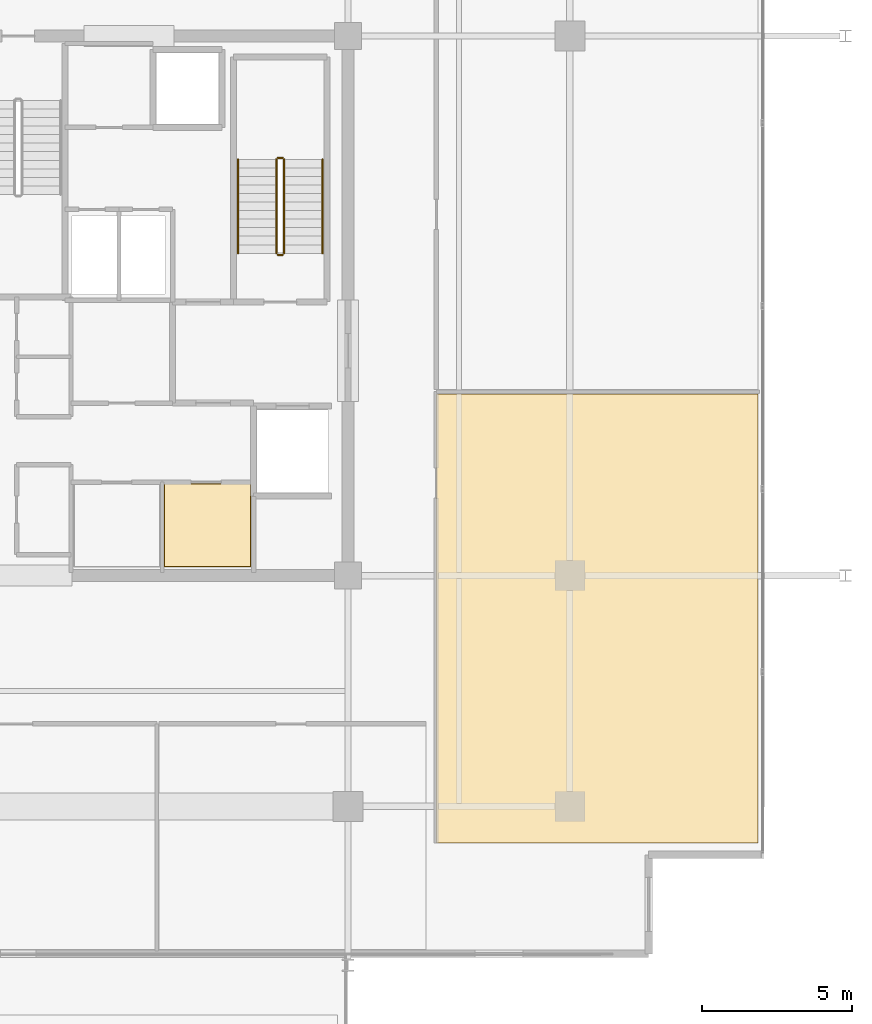
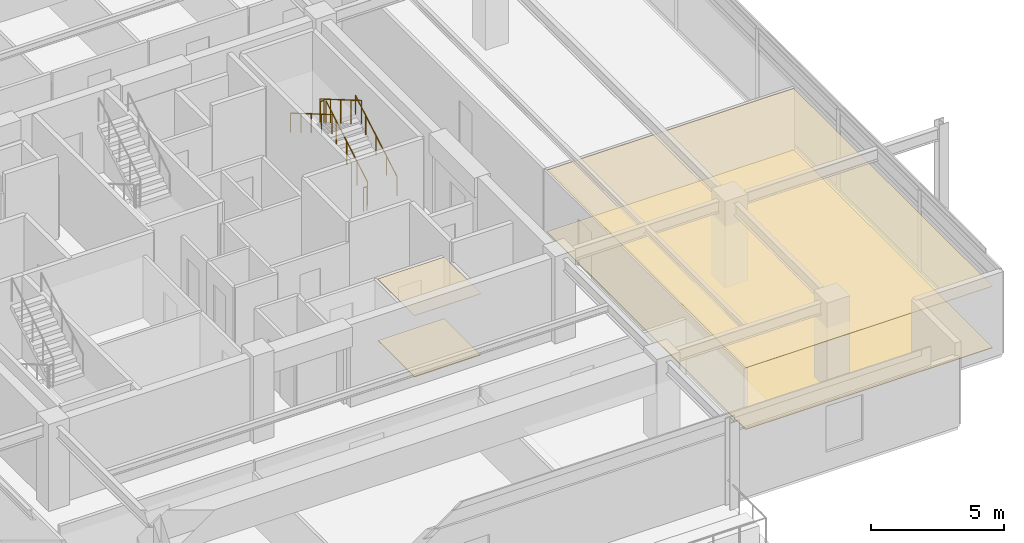
# One storey, part 20 of 21: 6 railings, 4 coverings.
"""IFC4 building model written with IfcOpenShell, lengths in metres."""

from ifc_helpers import new_model, si_unit, direction, frame, origin, origin_2d, place, context, subcontext, project, spatial, polyline, circle, outline, extrude, material, layer, layer_set, type_object, element, save


model = new_model("IFC4")

# Units and contexts
model_context = context("Model", 3, precision=1e-05, world=origin(), true_north=direction((0.0, 1.0)))
body_context = subcontext(model_context, "Body", "Model", "MODEL_VIEW")
ifc_project = project(units=[si_unit("LENGTHUNIT", "METRE"), si_unit("AREAUNIT", "SQUARE_METRE"), si_unit("VOLUMEUNIT", "CUBIC_METRE"), si_unit("PLANEANGLEUNIT", "RADIAN"), si_unit("MASSUNIT", "GRAM", prefix="KILO")], contexts=[model_context])

# Site, building, storey
site_placement = place(None, origin())
site = spatial("IfcSite", under=ifc_project, at=site_placement, CompositionType="ELEMENT")
building_placement = place(site_placement, origin())
building = spatial("IfcBuilding", under=site, at=building_placement, Name="Kovane Verandah Tower", CompositionType="ELEMENT")
storey_placement = place(building_placement, frame((0.0, 0.0, 326.800048828125)))
storey = spatial("IfcBuildingStorey", under=building, at=storey_placement, Name="L76", CompositionType="ELEMENT", Elevation=326.800048828125)

# Coverings
ifc_material_1 = material(Name="Perforated Acoustic Mineral-Fibre Ceiling Tile", Category="gypsum")
ifc_layer_1 = layer(ifc_material_1, 0.02490234375)
ifc_layer_set_1 = layer_set([ifc_layer_1], Name="Perforated Acoustic Mineral-Fibre Ceiling Tile")
covering_type_1 = type_object("IfcCoveringType", Name="CV-CEIL-25", PredefinedType="CEILING", material=ifc_layer_set_1)
covering_1_placement = place(storey_placement, frame((0.0, 0.0, 2.824951171875)))
element("IfcCovering", 1, at=covering_1_placement, inside=storey, type_object=covering_type_1, Name="L76 East IT Server Room Acoustic Ceiling", PredefinedType="CEILING", context=body_context, shape_type="SweptSolid", body=[
    extrude(outline(polyline([(44.864990234375, 18.784912109375), (47.764892578125, 18.784912109375), (47.764892578125, 21.56494140625), (44.864990234375, 21.56494140625), (44.864990234375, 18.784912109375)])), origin(), (0.0, 0.0, 1.0), 0.02490234375),
])
covering_2_placement = place(storey_placement, frame((0.0, 0.0, 2.824951171875)))
element("IfcCovering", 2, at=covering_2_placement, inside=storey, type_object=covering_type_1, Name="L76 Document and Print Room E1 Acoustic Ceiling", PredefinedType="CEILING", context=body_context, shape_type="SweptSolid", body=[
    extrude(outline(polyline([(53.949951171875, 9.584228515625), (64.681396484375, 9.584228515625), (64.681396484375, 24.5634765625), (53.949951171875, 24.5634765625), (53.949951171875, 9.584228515625)])), origin(), (0.0, 0.0, 1.0), 0.02490234375),
])
ifc_material_2 = material(Name="Polished Terrazzo and Raised-Access Carpet Tile Finish", Category="concrete")
ifc_layer_2 = layer(ifc_material_2, 0.030029296875)
ifc_layer_set_2 = layer_set([ifc_layer_2], Name="Polished Terrazzo and Raised-Access Carpet Tile Finish")
covering_type_2 = type_object("IfcCoveringType", Name="CV-FLOR-30", PredefinedType="FLOORING", material=ifc_layer_set_2)
covering_3_placement = place(storey_placement, origin())
element("IfcCovering", 3, at=covering_3_placement, inside=storey, type_object=covering_type_2, Name="L76 East IT Server Room Floor Finish", PredefinedType="FLOORING", context=body_context, shape_type="SweptSolid", body=[
    extrude(outline(polyline([(44.8798828125, 18.800048828125), (47.75, 18.800048828125), (47.75, 21.550048828125), (44.8798828125, 21.550048828125), (44.8798828125, 18.800048828125)])), origin(), (0.0, 0.0, 1.0), 0.030029296875),
])
covering_4_placement = place(storey_placement, origin())
element("IfcCovering", 4, at=covering_4_placement, inside=storey, type_object=covering_type_2, Name="L76 Document and Print Room E1 Floor Finish", PredefinedType="FLOORING", context=body_context, shape_type="SweptSolid", body=[
    extrude(outline(polyline([(53.949951171875, 9.584228515625), (64.681396484375, 9.584228515625), (64.681396484375, 24.5634765625), (53.949951171875, 24.5634765625), (53.949951171875, 9.584228515625)])), origin(), (0.0, 0.0, 1.0), 0.030029296875),
])

# Railings
ifc_material_3 = material(Name="Brushed Stainless Steel Handrail", Category="steel")
railing_type_1 = type_object("IfcRailingType", Name="RL-HAND-920", PredefinedType="HANDRAIL", material=ifc_material_3)
railing_1_placement = place(storey_placement, frame((50.14990234375, 29.25, 0.16650390625)))
element("IfcRailing", 5, at=railing_1_placement, inside=storey, type_object=railing_type_1, Name="L76 ST-02 stair handrail 1", PredefinedType="HANDRAIL", context=body_context, shape_type="SweptSolid", body=[
    extrude(circle(Radius=0.02392578125, at=origin_2d()), frame((0.0, 0.0, 0.8759765625), z_axis=(0.0, 0.863210265497, 0.504844567704), x_axis=(-1.0, 0.0, 0.0)), (0.0, 0.0, 1.0), 3.6318359375),
    extrude(circle(Radius=0.02099609375, at=origin_2d()), origin(), (0.0, 0.0, 1.0), 0.851806640625),
    extrude(circle(Radius=0.02099609375, at=origin_2d()), frame((0.0, 0.78369140625, 0.45849609375)), (0.0, 0.0, 1.0), 0.851806640625),
    extrude(circle(Radius=0.02099609375, at=origin_2d()), frame((0.0, 1.5673828125, 0.916748046875)), (0.0, 0.0, 1.0), 0.851806640625),
    extrude(circle(Radius=0.02099609375, at=origin_2d()), frame((0.0, 2.351318359375, 1.375)), (0.0, 0.0, 1.0), 0.851806640625),
    extrude(circle(Radius=0.02099609375, at=origin_2d()), frame((0.0, 3.135009765625, 1.83349609375)), (0.0, 0.0, 1.0), 0.851806640625),
])
railing_2_placement = place(storey_placement, frame((47.330078125, 32.385009765625, 2.16650390625)))
element("IfcRailing", 6, at=railing_2_placement, inside=storey, type_object=railing_type_1, Name="L76 ST-02 stair handrail 2", PredefinedType="HANDRAIL", context=body_context, shape_type="SweptSolid", body=[
    extrude(circle(Radius=0.02392578125, at=origin_2d()), frame((0.0, 0.0, 0.8759765625), z_axis=(0.0, -0.863210265497, 0.504844567704), x_axis=(1.0, 0.0, 0.0)), (0.0, 0.0, 1.0), 3.6318359375),
    extrude(circle(Radius=0.02099609375, at=origin_2d()), origin(), (0.0, 0.0, 1.0), 0.851806640625),
    extrude(circle(Radius=0.02099609375, at=origin_2d()), frame((0.0, -0.78369140625, 0.45849609375)), (0.0, 0.0, 1.0), 0.851806640625),
    extrude(circle(Radius=0.02099609375, at=origin_2d()), frame((0.0, -1.5673828125, 0.916748046875)), (0.0, 0.0, 1.0), 0.851806640625),
    extrude(circle(Radius=0.02099609375, at=origin_2d()), frame((0.0, -2.351318359375, 1.375)), (0.0, 0.0, 1.0), 0.851806640625),
    extrude(circle(Radius=0.02099609375, at=origin_2d()), frame((0.0, -3.135009765625, 1.83349609375)), (0.0, 0.0, 1.0), 0.851806640625),
])
ifc_material_4 = material(Name="Painted Steel Stairwell Guardrail", Category="steel")
railing_type_2 = type_object("IfcRailingType", Name="RL-STGUARD-1120", PredefinedType="GUARDRAIL", material=ifc_material_4)
railing_3_placement = place(storey_placement, frame((48.8701171875, 29.25, 0.16650390625)))
element("IfcRailing", 7, at=railing_3_placement, inside=storey, type_object=railing_type_2, Name="L76 ST-02 stair guard 1", PredefinedType="GUARDRAIL", context=body_context, shape_type="SweptSolid", body=[
    extrude(circle(Radius=0.02392578125, at=origin_2d()), frame((0.0, 0.0, 1.076171875), z_axis=(0.0, 0.863210265497, 0.504844567704), x_axis=(-1.0, 0.0, 0.0)), (0.0, 0.0, 1.0), 3.6318359375),
    extrude(circle(Radius=0.02099609375, at=origin_2d()), origin(), (0.0, 0.0, 1.0), 1.052001953125),
    extrude(circle(Radius=0.02099609375, at=origin_2d()), frame((0.0, 0.78369140625, 0.45849609375)), (0.0, 0.0, 1.0), 1.052001953125),
    extrude(circle(Radius=0.02099609375, at=origin_2d()), frame((0.0, 1.5673828125, 0.916748046875)), (0.0, 0.0, 1.0), 1.052001953125),
    extrude(circle(Radius=0.02099609375, at=origin_2d()), frame((0.0, 2.351318359375, 1.375)), (0.0, 0.0, 1.0), 1.052001953125),
    extrude(circle(Radius=0.02099609375, at=origin_2d()), frame((0.0, 3.135009765625, 1.83349609375)), (0.0, 0.0, 1.0), 1.052001953125),
])
railing_4_placement = place(storey_placement, frame((48.820068359375, 32.43505859375, 2.0)))
element("IfcRailing", 8, at=railing_4_placement, inside=storey, type_object=railing_type_2, Name="L76 ST-02 stair guard 2", PredefinedType="GUARDRAIL", context=body_context, shape_type="SweptSolid", body=[
    extrude(circle(Radius=0.02392578125, at=origin_2d()), frame((0.0, 0.0, 1.076171875), z_axis=(-1.0, 0.0, 0.0), x_axis=(0.0, -1.0, 0.0)), (0.0, 0.0, 1.0), 0.16015625),
    extrude(circle(Radius=0.02099609375, at=origin_2d()), origin(), (0.0, 0.0, 1.0), 1.052001953125),
    extrude(circle(Radius=0.02099609375, at=origin_2d()), frame((-0.16015625, 0.0, 0.0)), (0.0, 0.0, 1.0), 1.052001953125),
])
railing_5_placement = place(storey_placement, frame((48.610107421875, 32.385009765625, 2.16650390625)))
element("IfcRailing", 9, at=railing_5_placement, inside=storey, type_object=railing_type_2, Name="L76 ST-02 stair guard 3", PredefinedType="GUARDRAIL", context=body_context, shape_type="SweptSolid", body=[
    extrude(circle(Radius=0.02392578125, at=origin_2d()), frame((0.0, 0.0, 1.076171875), z_axis=(0.0, -0.863210265497, 0.504844567704), x_axis=(1.0, 0.0, 0.0)), (0.0, 0.0, 1.0), 3.6318359375),
    extrude(circle(Radius=0.02099609375, at=origin_2d()), origin(), (0.0, 0.0, 1.0), 1.052001953125),
    extrude(circle(Radius=0.02099609375, at=origin_2d()), frame((0.0, -0.78369140625, 0.45849609375)), (0.0, 0.0, 1.0), 1.052001953125),
    extrude(circle(Radius=0.02099609375, at=origin_2d()), frame((0.0, -1.5673828125, 0.916748046875)), (0.0, 0.0, 1.0), 1.052001953125),
    extrude(circle(Radius=0.02099609375, at=origin_2d()), frame((0.0, -2.351318359375, 1.375)), (0.0, 0.0, 1.0), 1.052001953125),
    extrude(circle(Radius=0.02099609375, at=origin_2d()), frame((0.0, -3.135009765625, 1.83349609375)), (0.0, 0.0, 1.0), 1.052001953125),
])
railing_6_placement = place(storey_placement, frame((48.820068359375, 29.199951171875, 0.0)))
element("IfcRailing", 10, at=railing_6_placement, inside=storey, type_object=railing_type_2, Name="L76 ST-02 stair guard 4", PredefinedType="GUARDRAIL", context=body_context, shape_type="SweptSolid", body=[
    extrude(circle(Radius=0.02392578125, at=origin_2d()), frame((0.0, 0.0, 1.076171875), z_axis=(-1.0, 0.0, 0.0), x_axis=(0.0, -1.0, 0.0)), (0.0, 0.0, 1.0), 0.16015625),
    extrude(circle(Radius=0.02099609375, at=origin_2d()), origin(), (0.0, 0.0, 1.0), 1.052001953125),
    extrude(circle(Radius=0.02099609375, at=origin_2d()), frame((-0.16015625, 0.0, 0.0)), (0.0, 0.0, 1.0), 1.052001953125),
])

save(model, "model.ifc")
